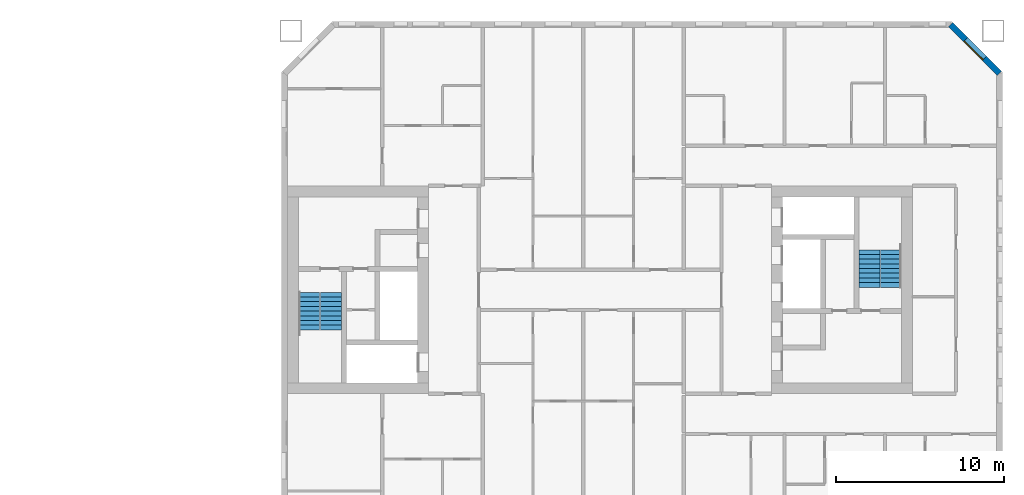
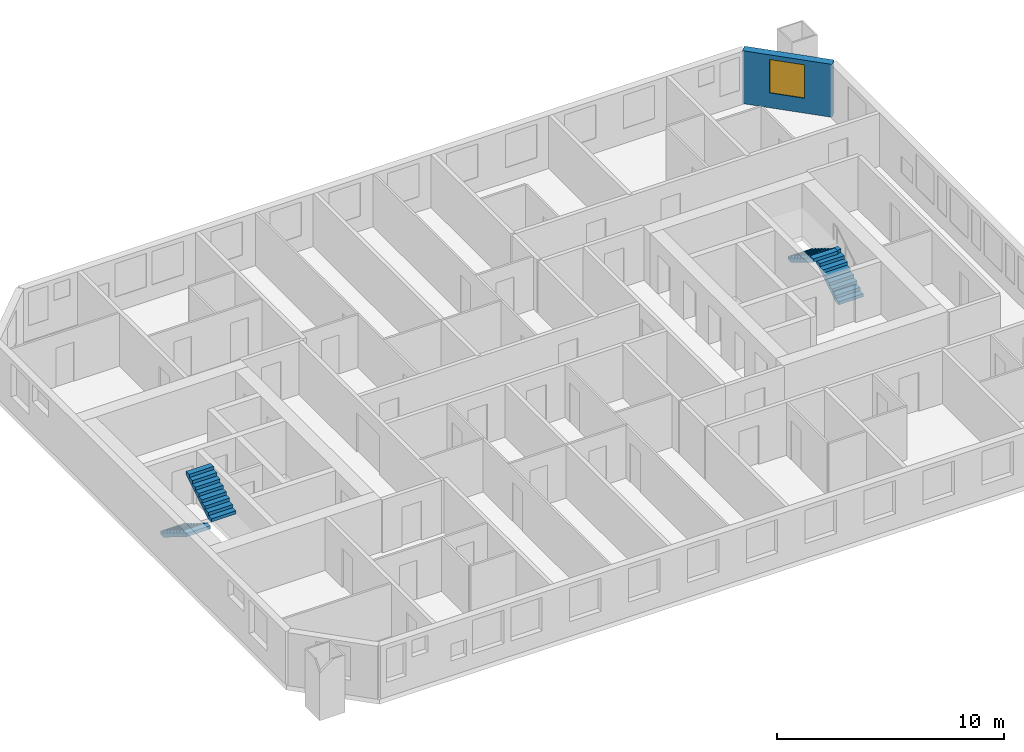
# One storey, part 15 of 17: 4 stair flights, 1 wall, 1 window, 1 opening, 2 elements without a shape of their own.
"""IFC4 building model written with IfcOpenShell, lengths in metres."""

from ifc_helpers import new_model, si_unit, direction, frame, frame_2d, origin, place, context, subcontext, project, spatial, polyline, rectangle, outline, extrude, material, layer, layer_set, type_object, element, fill, aggregate, save


model = new_model("IFC4")

# Units and contexts
model_context = context("Model", 3, precision=1e-05, world=origin(), true_north=direction((0.0, 1.0)))
body_context = subcontext(model_context, "Body", "Model", "MODEL_VIEW")
ifc_project = project(units=[si_unit("LENGTHUNIT", "METRE"), si_unit("AREAUNIT", "SQUARE_METRE"), si_unit("VOLUMEUNIT", "CUBIC_METRE"), si_unit("PLANEANGLEUNIT", "RADIAN"), si_unit("MASSUNIT", "GRAM", prefix="KILO")], contexts=[model_context])

# Site, building, storey
site_placement = place(None, origin())
site = spatial("IfcSite", under=ifc_project, at=site_placement, CompositionType="ELEMENT")
building_placement = place(site_placement, origin())
building = spatial("IfcBuilding", under=site, at=building_placement, Name="Tuart Gate Housing", CompositionType="ELEMENT")
storey_placement = place(building_placement, frame((0.0, 0.0, 99.5)))
storey = spatial("IfcBuildingStorey", under=building, at=storey_placement, Name="L27", CompositionType="ELEMENT", Elevation=99.5)

# Wall, opening, window
ifc_material_1 = material(Name="Brick", Category="masonry")
ifc_layer = layer(ifc_material_1, 0.360107421875)
ifc_layer_set = layer_set([ifc_layer], Name="Brick pier and spandrel wall 360")
wall_type = type_object("IfcWallType", Name="Brick pier and spandrel wall 360", PredefinedType="STANDARD", material=ifc_layer_set)
wall_placement = place(storey_placement, frame((173.820068359375, 82.92529296875, 0.0), z_axis=(0.0, 0.0, 1.0), x_axis=(-0.707106781187, 0.707106781187, 0.0)))
wall = element("IfcWall", 1, at=wall_placement, inside=storey, type_object=wall_type, Name="External wall B-NE L27", PredefinedType="STANDARD", context=body_context, shape_type="SweptSolid", body=[
    extrude(rectangle(XDim=4.09375, YDim=0.360107421875, at=frame_2d((2.046875, 0.0))), origin(), (0.0, 0.0, 1.0), 2.85009765625),
])
opening_placement = place(wall_placement, frame((1.2470703125, 0.0, 0.800048828125)))
opening = element("IfcOpeningElement", 2, at=opening_placement, cuts=wall, Name="Opening W1", PredefinedType="OPENING", context=body_context, shape_type="SweptSolid", body=[
    extrude(rectangle(XDim=1.60009765625, YDim=1.800048828125, at=frame_2d((0.800048828125, 0.89990234375))), frame((0.0, 0.18994140625, 0.0), z_axis=(0.0, -1.0, 0.0), x_axis=(1.0, 0.0, 0.0)), (0.0, 0.0, 1.0), 0.380126953125),
])
ifc_material_2 = material(Name="Aluminium frame with clear glass", Category="aluminium")
window_type = type_object("IfcWindowType", Name="Punched window 1600 x 1800", PartitioningType="SINGLE_PANEL", PredefinedType="WINDOW", material=ifc_material_2)
window_placement = place(opening_placement, origin())
window = element("IfcWindow", 3, at=window_placement, inside=storey, type_object=window_type, Name="Window W1", OverallHeight=1.800048828125, OverallWidth=1.60009765625, PartitioningType="SINGLE_PANEL", PredefinedType="WINDOW", context=body_context, shape_type="SweptSolid", body=[
    extrude(rectangle(XDim=1.60009765625, YDim=1.800048828125, at=frame_2d((0.800048828125, 0.89990234375))), frame((0.0, 0.150146484375, 0.0), z_axis=(0.0, -1.0, 0.0), x_axis=(1.0, 0.0, 0.0)), (0.0, 0.0, 1.0), 0.06005859375),
])
fill(opening, window)

# Stair, stair flights
ifc_material_3 = material(Name="Concrete C40", Category="concrete")
stair_type = type_object("IfcStairType", Name="Core stair 1250", PredefinedType="HALF_TURN_STAIR", material=ifc_material_3)
stair_1_placement = place(storey_placement, origin())
stair_1 = element("IfcStair", 4, at=stair_1_placement, inside=storey, type_object=stair_type, Name="Stair SB1", PredefinedType="HALF_TURN_STAIR")
ifc_material_4 = material(Name="Concrete C40", Category="concrete")
stair_flight_type = type_object("IfcStairFlightType", Name="Stair flight 1250, 9 risers 172 x 280", PredefinedType="STRAIGHT", material=ifc_material_4)
stair_flight_1_placement = place(storey_placement, frame((132.635009765625, 69.85009765625, 0.0), z_axis=(0.0, 0.0, 1.0), x_axis=(0.0, -1.0, 0.0)))
stair_flight_1 = element("IfcStairFlight", 5, at=stair_flight_1_placement, type_object=stair_flight_type, Name="SB1 flight 1", NumberOfRisers=9, NumberOfTreads=8, PredefinedType="STRAIGHT", RiserHeight=0.172222222, TreadLength=0.28, context=body_context, shape_type="SweptSolid", body=[
    extrude(outline(polyline([(0.0, 0.0), (0.0, 0.172119140625), (0.280029296875, 0.172119140625), (0.280029296875, 0.344482421875), (0.56005859375, 0.344482421875), (0.56005859375, 0.5166015625), (0.840087890625, 0.5166015625), (0.840087890625, 0.68896484375), (1.1201171875, 0.68896484375), (1.1201171875, 0.861083984375), (1.39990234375, 0.861083984375), (1.39990234375, 1.033447265625), (1.679931640625, 1.033447265625), (1.679931640625, 1.20556640625), (1.9599609375, 1.20556640625), (1.9599609375, 1.377685546875), (2.239990234375, 1.377685546875), (2.239990234375, 1.550048828125), (2.239990234375, 1.201904296875), (0.2861328125, 0.0), (0.0, 0.0)])), frame((0.0, 0.625, 0.0), z_axis=(0.0, -1.0, 0.0), x_axis=(1.0, 0.0, 0.0)), (0.0, 0.0, 1.0), 1.25),
])
stair_flight_2_placement = place(storey_placement, frame((133.93505859375, 67.610107421875, 1.550048828125), z_axis=(0.0, 0.0, 1.0), x_axis=(0.0, 1.0, 0.0)))
stair_flight_2 = element("IfcStairFlight", 6, at=stair_flight_2_placement, type_object=stair_flight_type, Name="SB1 flight 2", NumberOfRisers=9, NumberOfTreads=8, PredefinedType="STRAIGHT", RiserHeight=0.172222222, TreadLength=0.28, context=body_context, shape_type="SweptSolid", body=[
    extrude(outline(polyline([(0.0, 0.0), (0.0, 0.172119140625), (0.280029296875, 0.172119140625), (0.280029296875, 0.344482421875), (0.56005859375, 0.344482421875), (0.56005859375, 0.5166015625), (0.840087890625, 0.5166015625), (0.840087890625, 0.68896484375), (1.1201171875, 0.68896484375), (1.1201171875, 0.861083984375), (1.39990234375, 0.861083984375), (1.39990234375, 1.033447265625), (1.679931640625, 1.033447265625), (1.679931640625, 1.20556640625), (1.9599609375, 1.20556640625), (1.9599609375, 1.377685546875), (2.239990234375, 1.377685546875), (2.239990234375, 1.550048828125), (2.239990234375, 1.201904296875), (0.2861328125, 0.0), (0.0, 0.0)])), frame((0.0, 0.625, 0.0), z_axis=(0.0, -1.0, 0.0), x_axis=(1.0, 0.0, 0.0)), (0.0, 0.0, 1.0), 1.25),
])
aggregate(stair_1, [stair_flight_1, stair_flight_2])

stair_2_placement = place(storey_placement, origin())
stair_2 = element("IfcStair", 7, at=stair_2_placement, inside=storey, type_object=stair_type, Name="Stair SB2", PredefinedType="HALF_TURN_STAIR")
stair_flight_3_placement = place(storey_placement, frame((167.364990234375, 70.14990234375, 0.0), z_axis=(0.0, 0.0, 1.0), x_axis=(0.0, 1.0, 0.0)))
stair_flight_3 = element("IfcStairFlight", 8, at=stair_flight_3_placement, type_object=stair_flight_type, Name="SB2 flight 1", NumberOfRisers=9, NumberOfTreads=8, PredefinedType="STRAIGHT", RiserHeight=0.172222222, TreadLength=0.28, context=body_context, shape_type="SweptSolid", body=[
    extrude(outline(polyline([(0.0, 0.0), (0.0, 0.172119140625), (0.280029296875, 0.172119140625), (0.280029296875, 0.344482421875), (0.56005859375, 0.344482421875), (0.56005859375, 0.5166015625), (0.840087890625, 0.5166015625), (0.840087890625, 0.68896484375), (1.1201171875, 0.68896484375), (1.1201171875, 0.861083984375), (1.39990234375, 0.861083984375), (1.39990234375, 1.033447265625), (1.679931640625, 1.033447265625), (1.679931640625, 1.20556640625), (1.9599609375, 1.20556640625), (1.9599609375, 1.377685546875), (2.239990234375, 1.377685546875), (2.239990234375, 1.550048828125), (2.239990234375, 1.201904296875), (0.2861328125, 0.0), (0.0, 0.0)])), frame((0.0, 0.625, 0.0), z_axis=(0.0, -1.0, 0.0), x_axis=(1.0, 0.0, 0.0)), (0.0, 0.0, 1.0), 1.25),
])
stair_flight_4_placement = place(storey_placement, frame((166.06494140625, 72.389892578125, 1.550048828125), z_axis=(0.0, 0.0, 1.0), x_axis=(0.0, -1.0, 0.0)))
stair_flight_4 = element("IfcStairFlight", 9, at=stair_flight_4_placement, type_object=stair_flight_type, Name="SB2 flight 2", NumberOfRisers=9, NumberOfTreads=8, PredefinedType="STRAIGHT", RiserHeight=0.172222222, TreadLength=0.28, context=body_context, shape_type="SweptSolid", body=[
    extrude(outline(polyline([(0.0, 0.0), (0.0, 0.172119140625), (0.280029296875, 0.172119140625), (0.280029296875, 0.344482421875), (0.56005859375, 0.344482421875), (0.56005859375, 0.5166015625), (0.840087890625, 0.5166015625), (0.840087890625, 0.68896484375), (1.1201171875, 0.68896484375), (1.1201171875, 0.861083984375), (1.39990234375, 0.861083984375), (1.39990234375, 1.033447265625), (1.679931640625, 1.033447265625), (1.679931640625, 1.20556640625), (1.9599609375, 1.20556640625), (1.9599609375, 1.377685546875), (2.239990234375, 1.377685546875), (2.239990234375, 1.550048828125), (2.239990234375, 1.201904296875), (0.2861328125, 0.0), (0.0, 0.0)])), frame((0.0, 0.625, 0.0), z_axis=(0.0, -1.0, 0.0), x_axis=(1.0, 0.0, 0.0)), (0.0, 0.0, 1.0), 1.25),
])
aggregate(stair_2, [stair_flight_3, stair_flight_4])

save(model, "model.ifc")
